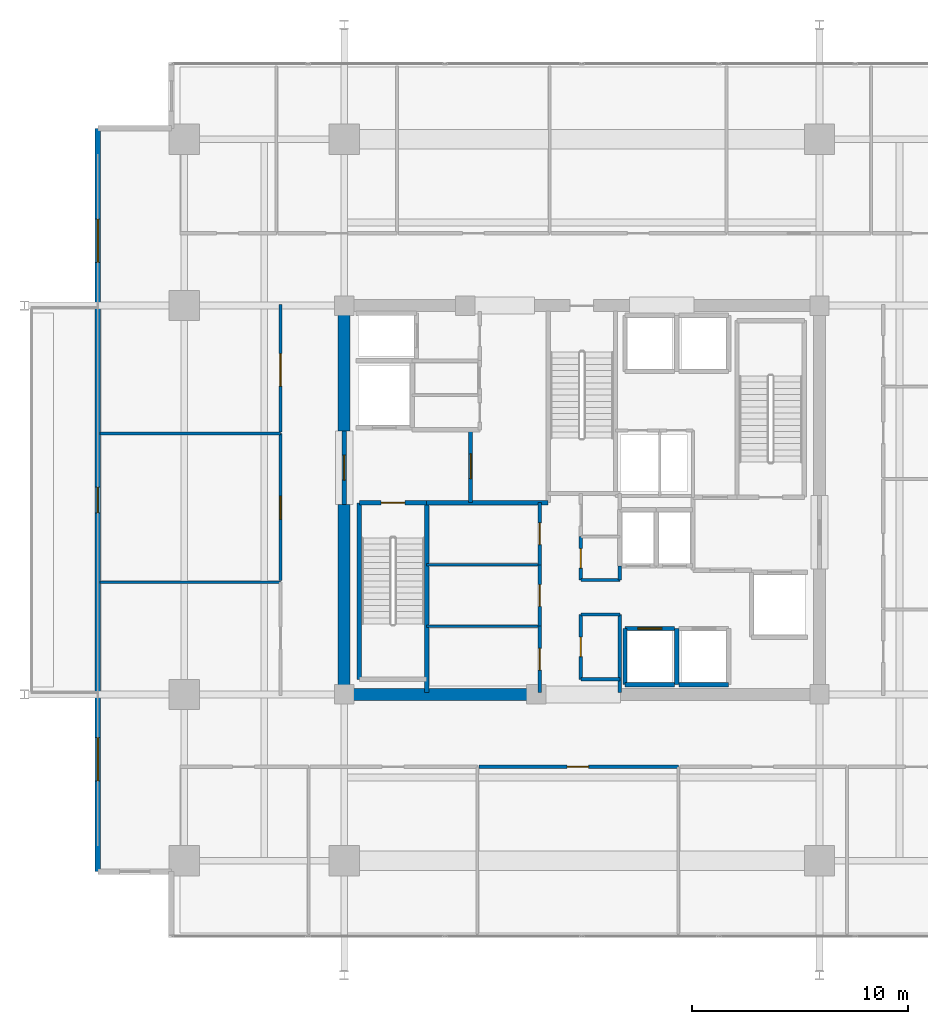
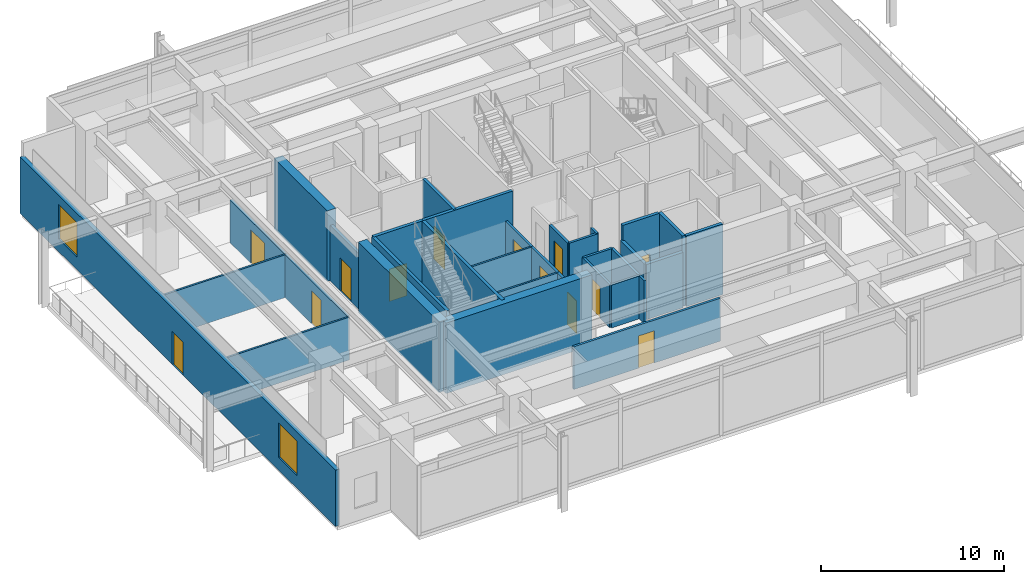
# One storey, part 12 of 19: 32 walls, 13 doors, 2 windows, 15 openings.
"""IFC4 building model written with IfcOpenShell, lengths in metres."""

from ifc_helpers import new_model, si_unit, direction, frame, frame_2d, origin, place, context, subcontext, project, spatial, rectangle, extrude, material, layer, layer_set, type_object, element, fill, save


model = new_model("IFC4")

# Units and contexts
model_context = context("Model", 3, precision=1e-05, world=origin(), true_north=direction((0.0, 1.0)))
body_context = subcontext(model_context, "Body", "Model", "MODEL_VIEW")
ifc_project = project(units=[si_unit("LENGTHUNIT", "METRE"), si_unit("AREAUNIT", "SQUARE_METRE"), si_unit("VOLUMEUNIT", "CUBIC_METRE"), si_unit("PLANEANGLEUNIT", "RADIAN"), si_unit("MASSUNIT", "GRAM", prefix="KILO")], contexts=[model_context])

# Site, building, storey
site_placement = place(None, origin())
site = spatial("IfcSite", under=ifc_project, at=site_placement, CompositionType="ELEMENT")
building_placement = place(site_placement, origin())
building = spatial("IfcBuilding", under=site, at=building_placement, Name="Kovane Verandah Tower", CompositionType="ELEMENT")
storey_placement = place(building_placement, frame((0.0, 0.0, 184.39990234375)))
storey = spatial("IfcBuildingStorey", under=building, at=storey_placement, Name="L43", CompositionType="ELEMENT", Elevation=184.39990234375)

# Walls
ifc_material_1 = material(Name="Fire-Rated Gypsum Stud Partition", Category="gypsum")
ifc_layer_1 = layer(ifc_material_1, 0.14990234375)
ifc_layer_set_1 = layer_set([ifc_layer_1], Name="Fire-Rated Gypsum Stud Partition")
wall_type_1 = type_object("IfcWallType", Name="WL-COR-150", PredefinedType="PARTITIONING", material=ifc_layer_set_1)
for number, where, z_axis, x_axis, name in (
    (1, (39.949951171875, 19.199951171875, 0.0), (0.0, 0.0, 1.0), (1.0, 0.0, 0.0), "L43 Central Core Strip South Wall"),
    (2, (39.949951171875, 22.199951171875, 0.0), (0.0, 0.0, 1.0), (1.0, 0.0, 0.0), "L43 Core Cross-Passage South Wall"),
    (3, (39.949951171875, 23.800048828125, 0.0), (0.0, 0.0, 1.0), (1.0, 0.0, 0.0), "L43 Core Cross-Passage North Wall"),
):
    element("IfcWall", number, at=place(storey_placement, frame(where, z_axis=z_axis, x_axis=x_axis)), inside=storey, type_object=wall_type_1, Name=name, PredefinedType="PARTITIONING", context=body_context, shape_type="SweptSolid", body=[
        extrude(rectangle(XDim=1.81005859375, YDim=0.14990234375, at=frame_2d((0.905029296875, 0.0))), origin(), (0.0, 0.0, 1.0), 2.85009765625),
    ])
wall_1_placement = place(storey_placement, frame((41.760009765625, 18.60009765625, 0.0), z_axis=(0.0, 0.0, 1.0), x_axis=(0.0, 1.0, 0.0)))
element("IfcWall", 4, at=wall_1_placement, inside=storey, type_object=wall_type_1, Name="L43 Central Core Strip Lower East Wall", PredefinedType="PARTITIONING", context=body_context, shape_type="SweptSolid", body=[
    extrude(rectangle(XDim=3.599853515625, YDim=0.14990234375, at=frame_2d((1.7998046875, 0.0))), origin(), (0.0, 0.0, 1.0), 2.85009765625),
])
wall_2_placement = place(storey_placement, frame((41.760009765625, 23.800048828125, 0.0), z_axis=(0.0, 0.0, 1.0), x_axis=(0.0, 1.0, 0.0)))
element("IfcWall", 5, at=wall_2_placement, inside=storey, type_object=wall_type_1, Name="L43 Central Core Strip Middle East Wall", PredefinedType="PARTITIONING", context=body_context, shape_type="SweptSolid", body=[
    extrude(rectangle(XDim=0.64990234375, YDim=0.14990234375, at=frame_2d((0.324951171875, 0.0))), origin(), (0.0, 0.0, 1.0), 2.85009765625),
])

# Wall, opening, door
wall_3_placement = place(storey_placement, frame((39.949951171875, 19.199951171875, 0.0), z_axis=(0.0, 0.0, 1.0), x_axis=(0.0, 1.0, 0.0)))
wall_3 = element("IfcWall", 6, at=wall_3_placement, inside=storey, type_object=wall_type_1, Name="L43 Male Toilet Partition", PredefinedType="PARTITIONING", context=body_context, shape_type="SweptSolid", body=[
    extrude(rectangle(XDim=3.0, YDim=0.14990234375, at=frame_2d((1.5, 0.0))), origin(), (0.0, 0.0, 1.0), 2.85009765625),
])
opening_1_placement = place(wall_3_placement, frame((1.050048828125, 0.0, 0.0)))
opening_1 = element("IfcOpeningElement", 7, at=opening_1_placement, cuts=wall_3, Name="Opening DR-L43-036", PredefinedType="OPENING", context=body_context, shape_type="SweptSolid", body=[
    extrude(rectangle(XDim=0.89990234375, YDim=2.10009765625, at=frame_2d((0.449951171875, 1.050048828125))), frame((0.0, 0.074951171875, 0.0), z_axis=(0.0, -1.0, 0.0), x_axis=(1.0, 0.0, 0.0)), (0.0, 0.0, 1.0), 0.14990234375),
])
ifc_material_2 = material(Name="Moisture-Resistant Laminate Washroom Door", Category="wood")
door_type_1 = type_object("IfcDoorType", Name="DR-WC-900", OperationType="SINGLE_SWING_LEFT", PredefinedType="DOOR", material=ifc_material_2)
door_1_placement = place(opening_1_placement, origin())
door_1 = element("IfcDoor", 8, at=door_1_placement, inside=storey, type_object=door_type_1, Name="L43 Male Toilet Door", OperationType="SINGLE_SWING_RIGHT", OverallHeight=2.10009765625, OverallWidth=0.89990234375, PredefinedType="DOOR", context=body_context, shape_type="SweptSolid", body=[
    extrude(rectangle(XDim=0.89990234375, YDim=2.10009765625, at=frame_2d((0.449951171875, 1.050048828125))), frame((0.0, 0.02490234375, 0.0), z_axis=(0.0, -1.0, 0.0), x_axis=(1.0, 0.0, 0.0)), (0.0, 0.0, 1.0), 0.050048828125),
])
fill(opening_1, door_1)

wall_4_placement = place(storey_placement, frame((39.949951171875, 23.800048828125, 0.0), z_axis=(0.0, 0.0, 1.0), x_axis=(0.0, 1.0, 0.0)))
wall_4 = element("IfcWall", 9, at=wall_4_placement, inside=storey, type_object=wall_type_1, Name="L43 Female Toilet Partition", PredefinedType="PARTITIONING", context=body_context, shape_type="SweptSolid", body=[
    extrude(rectangle(XDim=2.0, YDim=0.14990234375, at=frame_2d((1.0, 0.0))), origin(), (0.0, 0.0, 1.0), 2.85009765625),
])
opening_2_placement = place(wall_4_placement, frame((0.550048828125, 0.0, 0.0)))
opening_2 = element("IfcOpeningElement", 10, at=opening_2_placement, cuts=wall_4, Name="Opening DR-L43-035", PredefinedType="OPENING", context=body_context, shape_type="SweptSolid", body=[
    extrude(rectangle(XDim=0.89990234375, YDim=2.10009765625, at=frame_2d((0.449951171875, 1.050048828125))), frame((0.0, 0.074951171875, 0.0), z_axis=(0.0, -1.0, 0.0), x_axis=(1.0, 0.0, 0.0)), (0.0, 0.0, 1.0), 0.14990234375),
])
door_2_placement = place(opening_2_placement, origin())
door_2 = element("IfcDoor", 11, at=door_2_placement, inside=storey, type_object=door_type_1, Name="L43 Female Toilet Door", OperationType="SINGLE_SWING_LEFT", OverallHeight=2.10009765625, OverallWidth=0.89990234375, PredefinedType="DOOR", context=body_context, shape_type="SweptSolid", body=[
    extrude(rectangle(XDim=0.89990234375, YDim=2.10009765625, at=frame_2d((0.449951171875, 1.050048828125))), frame((0.0, 0.02490234375, 0.0), z_axis=(0.0, -1.0, 0.0), x_axis=(1.0, 0.0, 0.0)), (0.0, 0.0, 1.0), 0.050048828125),
])
fill(opening_2, door_2)

wall_5_placement = place(storey_placement, frame((38.050048828125, 18.60009765625, 0.0), z_axis=(0.0, 0.0, 1.0), x_axis=(0.0, 1.0, 0.0)))
wall_5 = element("IfcWall", 12, at=wall_5_placement, inside=storey, type_object=wall_type_1, Name="L43 Project Archive Room Partition", PredefinedType="PARTITIONING", context=body_context, shape_type="SweptSolid", body=[
    extrude(rectangle(XDim=3.059814453125, YDim=0.14990234375, at=frame_2d((1.52978515625, 0.0))), origin(), (0.0, 0.0, 1.0), 2.85009765625),
])
opening_3_placement = place(wall_5_placement, frame((1.030029296875, 0.0, 0.0)))
opening_3 = element("IfcOpeningElement", 13, at=opening_3_placement, cuts=wall_5, Name="Opening DR-L43-017", PredefinedType="OPENING", context=body_context, shape_type="SweptSolid", body=[
    extrude(rectangle(XDim=1.0, YDim=2.14990234375, at=frame_2d((0.5, 1.074951171875))), frame((0.0, 0.074951171875, 0.0), z_axis=(0.0, -1.0, 0.0), x_axis=(1.0, 0.0, 0.0)), (0.0, 0.0, 1.0), 0.14990234375),
])
ifc_material_3 = material(Name="FSC Spotted-Gum Timber Fire-Rated Office Door", Category="wood")
door_type_2 = type_object("IfcDoorType", Name="DR-OFF-1000", OperationType="SINGLE_SWING_LEFT", PredefinedType="DOOR", material=ifc_material_3)
door_3_placement = place(opening_3_placement, origin())
door_3 = element("IfcDoor", 14, at=door_3_placement, inside=storey, type_object=door_type_2, Name="L43 Project Archive Room Door", OperationType="SINGLE_SWING_RIGHT", OverallHeight=2.14990234375, OverallWidth=1.0, PredefinedType="DOOR", context=body_context, shape_type="SweptSolid", body=[
    extrude(rectangle(XDim=1.0, YDim=2.14990234375, at=frame_2d((0.5, 1.074951171875))), frame((0.0, 0.02490234375, 0.0), z_axis=(0.0, -1.0, 0.0), x_axis=(1.0, 0.0, 0.0)), (0.0, 0.0, 1.0), 0.050048828125),
])
fill(opening_3, door_3)

wall_6_placement = place(storey_placement, frame((38.050048828125, 21.659912109375, 0.0), z_axis=(0.0, 0.0, 1.0), x_axis=(0.0, 1.0, 0.0)))
wall_6 = element("IfcWall", 15, at=wall_6_placement, inside=storey, type_object=wall_type_1, Name="L43 First Aid and Wellness Room Partition", PredefinedType="PARTITIONING", context=body_context, shape_type="SweptSolid", body=[
    extrude(rectangle(XDim=2.840087890625, YDim=0.14990234375, at=frame_2d((1.419921875, 0.0))), origin(), (0.0, 0.0, 1.0), 2.85009765625),
])
opening_4_placement = place(wall_6_placement, frame((0.919921875, 0.0, 0.0)))
opening_4 = element("IfcOpeningElement", 16, at=opening_4_placement, cuts=wall_6, Name="Opening DR-L43-018", PredefinedType="OPENING", context=body_context, shape_type="SweptSolid", body=[
    extrude(rectangle(XDim=1.0, YDim=2.14990234375, at=frame_2d((0.5, 1.074951171875))), frame((0.0, 0.074951171875, 0.0), z_axis=(0.0, -1.0, 0.0), x_axis=(1.0, 0.0, 0.0)), (0.0, 0.0, 1.0), 0.14990234375),
])
door_4_placement = place(opening_4_placement, origin())
door_4 = element("IfcDoor", 17, at=door_4_placement, inside=storey, type_object=door_type_2, Name="L43 First Aid and Wellness Room Door", OperationType="SINGLE_SWING_LEFT", OverallHeight=2.14990234375, OverallWidth=1.0, PredefinedType="DOOR", context=body_context, shape_type="SweptSolid", body=[
    extrude(rectangle(XDim=1.0, YDim=2.14990234375, at=frame_2d((0.5, 1.074951171875))), frame((0.0, 0.02490234375, 0.0), z_axis=(0.0, -1.0, 0.0), x_axis=(1.0, 0.0, 0.0)), (0.0, 0.0, 1.0), 0.050048828125),
])
fill(opening_4, door_4)

wall_7_placement = place(storey_placement, frame((38.050048828125, 24.5, 0.0), z_axis=(0.0, 0.0, 1.0), x_axis=(0.0, 1.0, 0.0)))
wall_7 = element("IfcWall", 18, at=wall_7_placement, inside=storey, type_object=wall_type_1, Name="L43 Tea and Copy Hub Partition", PredefinedType="PARTITIONING", context=body_context, shape_type="SweptSolid", body=[
    extrude(rectangle(XDim=2.8798828125, YDim=0.14990234375, at=frame_2d((1.43994140625, 0.0))), origin(), (0.0, 0.0, 1.0), 2.85009765625),
])
opening_5_placement = place(wall_7_placement, frame((0.93994140625, 0.0, 0.0)))
opening_5 = element("IfcOpeningElement", 19, at=opening_5_placement, cuts=wall_7, Name="Opening DR-L43-019", PredefinedType="OPENING", context=body_context, shape_type="SweptSolid", body=[
    extrude(rectangle(XDim=1.0, YDim=2.14990234375, at=frame_2d((0.5, 1.074951171875))), frame((0.0, 0.074951171875, 0.0), z_axis=(0.0, -1.0, 0.0), x_axis=(1.0, 0.0, 0.0)), (0.0, 0.0, 1.0), 0.14990234375),
])
door_5_placement = place(opening_5_placement, origin())
door_5 = element("IfcDoor", 20, at=door_5_placement, inside=storey, type_object=door_type_2, Name="L43 Tea and Copy Hub Door", OperationType="SINGLE_SWING_RIGHT", OverallHeight=2.14990234375, OverallWidth=1.0, PredefinedType="DOOR", context=body_context, shape_type="SweptSolid", body=[
    extrude(rectangle(XDim=1.0, YDim=2.14990234375, at=frame_2d((0.5, 1.074951171875))), frame((0.0, 0.02490234375, 0.0), z_axis=(0.0, -1.0, 0.0), x_axis=(1.0, 0.0, 0.0)), (0.0, 0.0, 1.0), 0.050048828125),
])
fill(opening_5, door_5)

wall_8_placement = place(storey_placement, frame((35.23388671875, 15.14990234375, 0.0), z_axis=(0.0, 0.0, 1.0), x_axis=(1.0, 0.0, 0.0)))
wall_8 = element("IfcWall", 21, at=wall_8_placement, inside=storey, type_object=wall_type_1, Name="L43 Breakout Pantry S3 Corridor Partition", PredefinedType="PARTITIONING", context=body_context, shape_type="SweptSolid", body=[
    extrude(rectangle(XDim=9.230224609375, YDim=0.14990234375, at=frame_2d((4.615234375, 0.0))), origin(), (0.0, 0.0, 1.0), 2.85009765625),
])
opening_6_placement = place(wall_8_placement, frame((4.080078125, 0.0, 0.0)))
opening_6 = element("IfcOpeningElement", 22, at=opening_6_placement, cuts=wall_8, Name="Opening DR-L43-030", PredefinedType="OPENING", context=body_context, shape_type="SweptSolid", body=[
    extrude(rectangle(XDim=1.0, YDim=2.14990234375, at=frame_2d((0.5, 1.074951171875))), frame((0.0, 0.074951171875, 0.0), z_axis=(0.0, -1.0, 0.0), x_axis=(1.0, 0.0, 0.0)), (0.0, 0.0, 1.0), 0.14990234375),
])
door_6_placement = place(opening_6_placement, origin())
door_6 = element("IfcDoor", 23, at=door_6_placement, inside=storey, type_object=door_type_2, Name="L43 Breakout Pantry S3 Entrance Door", OperationType="SINGLE_SWING_LEFT", OverallHeight=2.14990234375, OverallWidth=1.0, PredefinedType="DOOR", context=body_context, shape_type="SweptSolid", body=[
    extrude(rectangle(XDim=1.0, YDim=2.14990234375, at=frame_2d((0.5, 1.074951171875))), frame((0.0, 0.02490234375, 0.0), z_axis=(0.0, -1.0, 0.0), x_axis=(1.0, 0.0, 0.0)), (0.0, 0.0, 1.0), 0.050048828125),
])
fill(opening_6, door_6)

wall_9_placement = place(storey_placement, frame((26.050048828125, 23.76904296875, 0.0), z_axis=(0.0, 0.0, 1.0), x_axis=(0.0, 1.0, 0.0)))
wall_9 = element("IfcWall", 24, at=wall_9_placement, inside=storey, type_object=wall_type_1, Name="L43 Executive Office W2 Corridor Partition", PredefinedType="PARTITIONING", context=body_context, shape_type="SweptSolid", body=[
    extrude(rectangle(XDim=6.807861328125, YDim=0.14990234375, at=frame_2d((3.40380859375, 0.0))), origin(), (0.0, 0.0, 1.0), 2.85009765625),
])
opening_7_placement = place(wall_9_placement, frame((2.843994140625, 0.0, 0.0)))
opening_7 = element("IfcOpeningElement", 25, at=opening_7_placement, cuts=wall_9, Name="Opening DR-L43-038", PredefinedType="OPENING", context=body_context, shape_type="SweptSolid", body=[
    extrude(rectangle(XDim=1.050048828125, YDim=2.199951171875, at=frame_2d((0.52490234375, 1.10009765625))), frame((0.0, 0.074951171875, 0.0), z_axis=(0.0, -1.0, 0.0), x_axis=(1.0, 0.0, 0.0)), (0.0, 0.0, 1.0), 0.14990234375),
])
ifc_material_4 = material(Name="FSC Blackbutt Timber Fire-Rated Executive Door", Category="wood")
door_type_3 = type_object("IfcDoorType", Name="DR-EXEC-1050", OperationType="SINGLE_SWING_LEFT", PredefinedType="DOOR", material=ifc_material_4)
door_7_placement = place(opening_7_placement, origin())
door_7 = element("IfcDoor", 26, at=door_7_placement, inside=storey, type_object=door_type_3, Name="L43 Executive Office W2 Entrance Door", OperationType="SINGLE_SWING_LEFT", OverallHeight=2.199951171875, OverallWidth=1.050048828125, PredefinedType="DOOR", context=body_context, shape_type="SweptSolid", body=[
    extrude(rectangle(XDim=1.050048828125, YDim=2.199951171875, at=frame_2d((0.52490234375, 1.10009765625))), frame((0.0, 0.02490234375, 0.0), z_axis=(0.0, -1.0, 0.0), x_axis=(1.0, 0.0, 0.0)), (0.0, 0.0, 1.0), 0.050048828125),
])
fill(opening_7, door_7)

wall_10_placement = place(storey_placement, frame((26.050048828125, 30.64697265625, 0.0), z_axis=(0.0, 0.0, 1.0), x_axis=(0.0, 1.0, 0.0)))
wall_10 = element("IfcWall", 27, at=wall_10_placement, inside=storey, type_object=wall_type_1, Name="L43 Client Boardroom W3 Corridor Partition", PredefinedType="PARTITIONING", context=body_context, shape_type="SweptSolid", body=[
    extrude(rectangle(XDim=5.903076171875, YDim=0.14990234375, at=frame_2d((2.95166015625, 0.0))), origin(), (0.0, 0.0, 1.0), 2.85009765625),
])
opening_8_placement = place(wall_10_placement, frame((2.12646484375, 0.0, 0.0)))
opening_8 = element("IfcOpeningElement", 28, at=opening_8_placement, cuts=wall_10, Name="Opening DR-L43-039", PredefinedType="OPENING", context=body_context, shape_type="SweptSolid", body=[
    extrude(rectangle(XDim=1.5, YDim=2.25, at=frame_2d((0.75, 1.125))), frame((0.0, 0.074951171875, 0.0), z_axis=(0.0, -1.0, 0.0), x_axis=(1.0, 0.0, 0.0)), (0.0, 0.0, 1.0), 0.14990234375),
])
ifc_material_5 = material(Name="Glazed Timber Fire-Rated Double Door", Category="wood")
door_type_4 = type_object("IfcDoorType", Name="DR-CONF-1500", OperationType="DOUBLE_DOOR_SINGLE_SWING", PredefinedType="DOOR", material=ifc_material_5)
door_8_placement = place(opening_8_placement, origin())
door_8 = element("IfcDoor", 29, at=door_8_placement, inside=storey, type_object=door_type_4, Name="L43 Client Boardroom W3 Entrance Door", OperationType="DOUBLE_DOOR_SINGLE_SWING", OverallHeight=2.25, OverallWidth=1.5, PredefinedType="DOOR", context=body_context, shape_type="SweptSolid", body=[
    extrude(rectangle(XDim=1.5, YDim=2.25, at=frame_2d((0.75, 1.125))), frame((0.0, 0.02490234375, 0.0), z_axis=(0.0, -1.0, 0.0), x_axis=(1.0, 0.0, 0.0)), (0.0, 0.0, 1.0), 0.050048828125),
])
fill(opening_8, door_8)

# Walls
ifc_material_6 = material(Name="Concrete C60/75", Category="concrete")
ifc_layer_2 = layer(ifc_material_6, 0.550048828125)
ifc_layer_set_2 = layer_set([ifc_layer_2], Name="Concrete C60/75")
wall_type_2 = type_object("IfcWallType", Name="WL-CORE-550", PredefinedType="SHEAR", material=ifc_layer_set_2)
wall_11_placement = place(storey_placement, frame((29.0, 18.5, 0.0), z_axis=(0.0, 0.0, 1.0), x_axis=(1.0, 0.0, 0.0)))
element("IfcWall", 30, at=wall_11_placement, inside=storey, type_object=wall_type_2, Name="L43 Core Shear Wall CS-1", PredefinedType="SHEAR", context=body_context, shape_type="SweptSolid", body=[
    extrude(rectangle(XDim=9.199951171875, YDim=0.550048828125, at=frame_2d((4.60009765625, 0.0))), origin(), (0.0, 0.0, 1.0), 4.7001953125),
])
wall_12_placement = place(storey_placement, frame((29.0, 18.5, 0.0), z_axis=(0.0, 0.0, 1.0), x_axis=(0.0, 1.0, 0.0)))
element("IfcWall", 31, at=wall_12_placement, inside=storey, type_object=wall_type_2, Name="L43 Core Shear Wall CW-1", PredefinedType="SHEAR", context=body_context, shape_type="SweptSolid", body=[
    extrude(rectangle(XDim=8.800048828125, YDim=0.550048828125, at=frame_2d((4.39990234375, 0.0))), origin(), (0.0, 0.0, 1.0), 4.7001953125),
])
wall_13_placement = place(storey_placement, frame((29.0, 30.699951171875, 0.0), z_axis=(0.0, 0.0, 1.0), x_axis=(0.0, 1.0, 0.0)))
element("IfcWall", 32, at=wall_13_placement, inside=storey, type_object=wall_type_2, Name="L43 Core Shear Wall CW-2", PredefinedType="SHEAR", context=body_context, shape_type="SweptSolid", body=[
    extrude(rectangle(XDim=5.800048828125, YDim=0.550048828125, at=frame_2d((2.89990234375, 0.0))), origin(), (0.0, 0.0, 1.0), 4.7001953125),
])

# Wall, opening, door
ifc_material_7 = material(Name="Concrete C45/55 Fire Wall", Category="concrete")
ifc_layer_3 = layer(ifc_material_7, 0.199951171875)
ifc_layer_set_3 = layer_set([ifc_layer_3], Name="Concrete C45/55 Fire Wall")
wall_type_3 = type_object("IfcWallType", Name="WL-FFL-200", PredefinedType="PARTITIONING", material=ifc_layer_set_3)
wall_14_placement = place(storey_placement, frame((34.85009765625, 27.3798828125, 0.0), z_axis=(0.0, 0.0, 1.0), x_axis=(0.0, 1.0, 0.0)))
wall_14 = element("IfcWall", 33, at=wall_14_placement, inside=storey, type_object=wall_type_3, Name="W-L43-FFLW-E", PredefinedType="PARTITIONING", context=body_context, shape_type="SweptSolid", body=[
    extrude(rectangle(XDim=3.3701171875, YDim=0.199951171875, at=frame_2d((1.68505859375, 0.0))), origin(), (0.0, 0.0, 1.0), 4.7001953125),
])
opening_9_placement = place(wall_14_placement, frame((1.110107421875, 0.0, 0.0)))
opening_9 = element("IfcOpeningElement", 34, at=opening_9_placement, cuts=wall_14, Name="Opening DR-L43-006", PredefinedType="OPENING", context=body_context, shape_type="SweptSolid", body=[
    extrude(rectangle(XDim=1.14990234375, YDim=2.199951171875, at=frame_2d((0.574951171875, 1.10009765625))), frame((0.0, 0.10009765625, 0.0), z_axis=(0.0, -1.0, 0.0), x_axis=(1.0, 0.0, 0.0)), (0.0, 0.0, 1.0), 0.199951171875),
])
ifc_material_8 = material(Name="Smoke-Sealed Firefighting Lobby Door", Category="steel")
door_type_5 = type_object("IfcDoorType", Name="DR-FFL-1150", OperationType="SINGLE_SWING_LEFT", PredefinedType="DOOR", material=ifc_material_8)
door_9_placement = place(opening_9_placement, origin())
door_9 = element("IfcDoor", 35, at=door_9_placement, inside=storey, type_object=door_type_5, Name="L43 West Firefighting Lobby Inner Door", OperationType="SINGLE_SWING_LEFT", OverallHeight=2.199951171875, OverallWidth=1.14990234375, PredefinedType="DOOR", context=body_context, shape_type="SweptSolid", body=[
    extrude(rectangle(XDim=1.14990234375, YDim=2.199951171875, at=frame_2d((0.574951171875, 1.10009765625))), frame((0.0, 0.02490234375, 0.0), z_axis=(0.0, -1.0, 0.0), x_axis=(1.0, 0.0, 0.0)), (0.0, 0.0, 1.0), 0.050048828125),
])
fill(opening_9, door_9)

wall_15_placement = place(storey_placement, frame((29.0, 27.300048828125, 0.0), z_axis=(0.0, 0.0, 1.0), x_axis=(0.0, 1.0, 0.0)))
wall_15 = element("IfcWall", 36, at=wall_15_placement, inside=storey, type_object=wall_type_3, Name="W-L43-FFLW-OUT", PredefinedType="PARTITIONING", context=body_context, shape_type="SweptSolid", body=[
    extrude(rectangle(XDim=3.39990234375, YDim=0.199951171875, at=frame_2d((1.699951171875, 0.0))), origin(), (0.0, 0.0, 1.0), 3.68017578125),
])
opening_10_placement = place(wall_15_placement, frame((1.125, 0.0, 0.0)))
opening_10 = element("IfcOpeningElement", 37, at=opening_10_placement, cuts=wall_15, Name="Opening DR-L43-007", PredefinedType="OPENING", context=body_context, shape_type="SweptSolid", body=[
    extrude(rectangle(XDim=1.14990234375, YDim=2.199951171875, at=frame_2d((0.574951171875, 1.10009765625))), frame((0.0, 0.10009765625, 0.0), z_axis=(0.0, -1.0, 0.0), x_axis=(1.0, 0.0, 0.0)), (0.0, 0.0, 1.0), 0.199951171875),
])
door_10_placement = place(opening_10_placement, origin())
door_10 = element("IfcDoor", 38, at=door_10_placement, inside=storey, type_object=door_type_5, Name="L43 West Firefighting Lobby Corridor Door", OperationType="SINGLE_SWING_RIGHT", OverallHeight=2.199951171875, OverallWidth=1.14990234375, PredefinedType="DOOR", context=body_context, shape_type="SweptSolid", body=[
    extrude(rectangle(XDim=1.14990234375, YDim=2.199951171875, at=frame_2d((0.574951171875, 1.10009765625))), frame((0.0, 0.02490234375, 0.0), z_axis=(0.0, -1.0, 0.0), x_axis=(1.0, 0.0, 0.0)), (0.0, 0.0, 1.0), 0.050048828125),
])
fill(opening_10, door_10)

# Walls
wall_16_placement = place(storey_placement, frame((32.820068359375, 27.3798828125, 0.0), z_axis=(0.0, 0.0, 1.0), x_axis=(1.0, 0.0, 0.0)))
element("IfcWall", 39, at=wall_16_placement, inside=storey, type_object=wall_type_3, Name="L43 West Firefighting Lobby South Fire Wall", PredefinedType="PARTITIONING", context=body_context, shape_type="SweptSolid", body=[
    extrude(rectangle(XDim=5.619873046875, YDim=0.199951171875, at=frame_2d((2.81005859375, 0.0))), origin(), (0.0, 0.0, 1.0), 4.7001953125),
])
ifc_material_9 = material(Name="Concrete C45/55 Lift Shaft Wall", Category="concrete")
ifc_layer_4 = layer(ifc_material_9, 0.199951171875)
ifc_layer_set_4 = layer_set([ifc_layer_4], Name="Concrete C45/55 Lift Shaft Wall")
wall_type_4 = type_object("IfcWallType", Name="WL-LIFT-200", PredefinedType="SOLIDWALL", material=ifc_layer_set_4)
wall_17_placement = place(storey_placement, frame((42.0, 18.949951171875, 0.0), z_axis=(0.0, 0.0, 1.0), x_axis=(1.0, 0.0, 0.0)))
element("IfcWall", 40, at=wall_17_placement, inside=storey, type_object=wall_type_4, Name="L43 Lift PL-M1 S Shaft Wall", PredefinedType="SOLIDWALL", context=body_context, shape_type="SweptSolid", body=[
    extrude(rectangle(XDim=2.300048828125, YDim=0.199951171875, at=frame_2d((1.14990234375, 0.0))), origin(), (0.0, 0.0, 1.0), 3.68017578125),
])

# Wall, opening, door
wall_18_placement = place(storey_placement, frame((44.300048828125, 21.550048828125, 0.0), z_axis=(0.0, 0.0, 1.0), x_axis=(-1.0, 0.0, 0.0)))
wall_18 = element("IfcWall", 41, at=wall_18_placement, inside=storey, type_object=wall_type_4, Name="L43 Lift PL-M1 N Shaft Wall", PredefinedType="SOLIDWALL", context=body_context, shape_type="SweptSolid", body=[
    extrude(rectangle(XDim=2.300048828125, YDim=0.199951171875, at=frame_2d((1.14990234375, 0.0))), origin(), (0.0, 0.0, 1.0), 4.7001953125),
])
opening_11_placement = place(wall_18_placement, frame((0.60009765625, 0.0, 0.0)))
opening_11 = element("IfcOpeningElement", 42, at=opening_11_placement, cuts=wall_18, Name="Opening LD-L43-004", PredefinedType="OPENING", context=body_context, shape_type="SweptSolid", body=[
    extrude(rectangle(XDim=1.10009765625, YDim=2.199951171875, at=frame_2d((0.550048828125, 1.10009765625))), frame((0.0, 0.10009765625, 0.0), z_axis=(0.0, -1.0, 0.0), x_axis=(1.0, 0.0, 0.0)), (0.0, 0.0, 1.0), 0.199951171875),
])
ifc_material_10 = material(Name="Brushed Stainless Steel Sliding Lift Landing Door", Category="steel")
door_type_6 = type_object("IfcDoorType", Name="DR-LIFT-1100", OperationType="SLIDING_TO_RIGHT", PredefinedType="DOOR", material=ifc_material_10)
door_11_placement = place(opening_11_placement, origin())
door_11 = element("IfcDoor", 43, at=door_11_placement, inside=storey, type_object=door_type_6, Name="L43 Lift PL-M1 Sliding Landing Door", OperationType="SLIDING_TO_RIGHT", OverallHeight=2.199951171875, OverallWidth=1.10009765625, PredefinedType="DOOR", context=body_context, shape_type="SweptSolid", body=[
    extrude(rectangle(XDim=1.10009765625, YDim=2.199951171875, at=frame_2d((0.550048828125, 1.10009765625))), frame((0.0, 0.02490234375, 0.0), z_axis=(0.0, -1.0, 0.0), x_axis=(1.0, 0.0, 0.0)), (0.0, 0.0, 1.0), 0.050048828125),
])
fill(opening_11, door_11)

# Walls
wall_19_placement = place(storey_placement, frame((42.0, 21.550048828125, 0.0), z_axis=(0.0, 0.0, 1.0), x_axis=(0.0, -1.0, 0.0)))
element("IfcWall", 44, at=wall_19_placement, inside=storey, type_object=wall_type_4, Name="L43 Lift PL-M1 W Shaft Wall", PredefinedType="SOLIDWALL", context=body_context, shape_type="SweptSolid", body=[
    extrude(rectangle(XDim=2.60009765625, YDim=0.199951171875, at=frame_2d((1.300048828125, 0.0))), origin(), (0.0, 0.0, 1.0), 3.68017578125),
])
wall_20_placement = place(storey_placement, frame((44.39990234375, 18.949951171875, 0.0), z_axis=(0.0, 0.0, 1.0), x_axis=(0.0, 1.0, 0.0)))
element("IfcWall", 45, at=wall_20_placement, inside=storey, type_object=wall_type_4, Name="L43 Lift PL-M1 and PL-M2 Shared Shaft Wall", PredefinedType="SOLIDWALL", context=body_context, shape_type="SweptSolid", body=[
    extrude(rectangle(XDim=2.60009765625, YDim=0.199951171875, at=frame_2d((1.300048828125, 0.0))), origin(), (0.0, 0.0, 1.0), 4.7001953125),
])
wall_21_placement = place(storey_placement, frame((44.5, 18.949951171875, 0.0), z_axis=(0.0, 0.0, 1.0), x_axis=(1.0, 0.0, 0.0)))
element("IfcWall", 46, at=wall_21_placement, inside=storey, type_object=wall_type_4, Name="L43 Lift PL-M2 S Shaft Wall", PredefinedType="SOLIDWALL", context=body_context, shape_type="SweptSolid", body=[
    extrude(rectangle(XDim=2.300048828125, YDim=0.199951171875, at=frame_2d((1.14990234375, 0.0))), origin(), (0.0, 0.0, 1.0), 4.7001953125),
])
ifc_material_11 = material(Name="Acoustic Fire-Rated Gypsum Partition", Category="gypsum")
ifc_layer_5 = layer(ifc_material_11, 0.1201171875)
ifc_layer_set_5 = layer_set([ifc_layer_5], Name="Acoustic Fire-Rated Gypsum Partition")
wall_type_5 = type_object("IfcWallType", Name="WL-PART-120", PredefinedType="PARTITIONING", material=ifc_layer_set_5)
for number, where, z_axis, x_axis, name in (
    (47, (32.820068359375, 21.659912109375, 0.0), (0.0, 0.0, 1.0), (1.0, 0.0, 0.0), "L43 Core Support Lower Dividing Partition"),
    (48, (32.820068359375, 24.5, 0.0), (0.0, 0.0, 1.0), (1.0, 0.0, 0.0), "L43 Core Support Upper Dividing Partition"),
):
    element("IfcWall", number, at=place(storey_placement, frame(where, z_axis=z_axis, x_axis=x_axis)), inside=storey, type_object=wall_type_5, Name=name, PredefinedType="PARTITIONING", context=body_context, shape_type="SweptSolid", body=[
        extrude(rectangle(XDim=5.22998046875, YDim=0.1201171875, at=frame_2d((2.614990234375, 0.0))), origin(), (0.0, 0.0, 1.0), 2.85009765625),
    ])
for number, where, z_axis, x_axis, name in (
    (49, (17.699951171875, 23.698974609375, 0.0), (0.0, 0.0, 1.0), (1.0, 0.0, 0.0), "L43 Open Plan Office W1 Dividing Partition"),
    (50, (17.699951171875, 30.576904296875, 0.0), (0.0, 0.0, 1.0), (1.0, 0.0, 0.0), "L43 Executive Office W2 Dividing Partition"),
):
    element("IfcWall", number, at=place(storey_placement, frame(where, z_axis=z_axis, x_axis=x_axis)), inside=storey, type_object=wall_type_5, Name=name, PredefinedType="PARTITIONING", context=body_context, shape_type="SweptSolid", body=[
        extrude(rectangle(XDim=8.35009765625, YDim=0.1201171875, at=frame_2d((4.175048828125, 0.0))), origin(), (0.0, 0.0, 1.0), 2.85009765625),
    ])
ifc_material_12 = material(Name="Concrete C45/55", Category="concrete")
ifc_layer_6 = layer(ifc_material_12, 0.199951171875)
ifc_layer_set_6 = layer_set([ifc_layer_6], Name="Concrete C45/55")
wall_type_6 = type_object("IfcWallType", Name="WL-SHAFT-200", PredefinedType="SOLIDWALL", material=ifc_layer_set_6)
wall_22_placement = place(storey_placement, frame((29.699951171875, 19.199951171875, 0.0), z_axis=(0.0, 0.0, 1.0), x_axis=(0.0, 1.0, 0.0)))
element("IfcWall", 51, at=wall_22_placement, inside=storey, type_object=wall_type_6, Name="W-L43-ST01-W", PredefinedType="SOLIDWALL", context=body_context, shape_type="SweptSolid", body=[
    extrude(rectangle(XDim=8.150146484375, YDim=0.199951171875, at=frame_2d((4.0751953125, 0.0))), origin(), (0.0, 0.0, 1.0), 4.7001953125),
])
wall_23_placement = place(storey_placement, frame((32.820068359375, 18.60009765625, 0.0), z_axis=(0.0, 0.0, 1.0), x_axis=(0.0, 1.0, 0.0)))
element("IfcWall", 52, at=wall_23_placement, inside=storey, type_object=wall_type_6, Name="W-L43-ST01-E", PredefinedType="SOLIDWALL", context=body_context, shape_type="SweptSolid", body=[
    extrude(rectangle(XDim=8.77978515625, YDim=0.199951171875, at=frame_2d((4.389892578125, 0.0))), origin(), (0.0, 0.0, 1.0), 4.7001953125),
])

# Wall, opening, door
wall_24_placement = place(storey_placement, frame((29.699951171875, 27.3798828125, 0.0), z_axis=(0.0, 0.0, 1.0), x_axis=(1.0, 0.0, 0.0)))
wall_24 = element("IfcWall", 53, at=wall_24_placement, inside=storey, type_object=wall_type_6, Name="W-L43-ST01-N", PredefinedType="SOLIDWALL", context=body_context, shape_type="SweptSolid", body=[
    extrude(rectangle(XDim=3.1201171875, YDim=0.199951171875, at=frame_2d((1.56005859375, 0.0))), origin(), (0.0, 0.0, 1.0), 4.7001953125),
])
opening_12_placement = place(wall_24_placement, frame((1.010009765625, 0.0, 0.0)))
opening_12 = element("IfcOpeningElement", 54, at=opening_12_placement, cuts=wall_24, Name="Opening DR-L43-009", PredefinedType="OPENING", context=body_context, shape_type="SweptSolid", body=[
    extrude(rectangle(XDim=1.10009765625, YDim=2.14990234375, at=frame_2d((0.550048828125, 1.074951171875))), frame((0.0, 0.10009765625, 0.0), z_axis=(0.0, -1.0, 0.0), x_axis=(1.0, 0.0, 0.0)), (0.0, 0.0, 1.0), 0.199951171875),
])
ifc_material_13 = material(Name="Fire-Rated Steel Exit Door", Category="steel")
door_type_7 = type_object("IfcDoorType", Name="DR-STAIR-1100", OperationType="SINGLE_SWING_LEFT", PredefinedType="DOOR", material=ifc_material_13)
door_12_placement = place(opening_12_placement, origin())
door_12 = element("IfcDoor", 55, at=door_12_placement, inside=storey, type_object=door_type_7, Name="L43 ST-01 Fire Exit Stair Door", OperationType="SINGLE_SWING_LEFT", OverallHeight=2.14990234375, OverallWidth=1.10009765625, PredefinedType="DOOR", context=body_context, shape_type="SweptSolid", body=[
    extrude(rectangle(XDim=1.10009765625, YDim=2.14990234375, at=frame_2d((0.550048828125, 1.074951171875))), frame((0.0, 0.02490234375, 0.0), z_axis=(0.0, -1.0, 0.0), x_axis=(1.0, 0.0, 0.0)), (0.0, 0.0, 1.0), 0.050048828125),
])
fill(opening_12, door_12)

# Wall, openings, door, windows
ifc_material_14 = material(Name="Concrete C45/55 Insulated Spandrel Wall", Category="concrete")
ifc_layer_7 = layer(ifc_material_14, 0.260009765625)
ifc_layer_set_7 = layer_set([ifc_layer_7], Name="Concrete C45/55 Insulated Spandrel Wall")
wall_type_7 = type_object("IfcWallType", Name="WL-SPANDREL-260", PredefinedType="PARAPET", material=ifc_layer_set_7)
wall_25_placement = place(storey_placement, frame((17.60009765625, 44.699951171875, 0.0), z_axis=(0.0, 0.0, 1.0), x_axis=(0.0, -1.0, 0.0)))
wall_25 = element("IfcWall", 56, at=wall_25_placement, inside=storey, type_object=wall_type_7, Name="L43 W Verandah Access Facade Wall", PredefinedType="PARAPET", context=body_context, shape_type="SweptSolid", body=[
    extrude(rectangle(XDim=34.39990234375, YDim=0.260009765625, at=frame_2d((17.199951171875, 0.0))), origin(), (0.0, 0.0, 1.0), 3.75341796875),
])
opening_13_placement = place(wall_25_placement, frame((4.199951171875, 0.0, 0.85009765625)))
opening_13 = element("IfcOpeningElement", 57, at=opening_13_placement, cuts=wall_25, Name="Opening W-04", PredefinedType="OPENING", context=body_context, shape_type="SweptSolid", body=[
    extrude(rectangle(XDim=2.0, YDim=2.300048828125, at=frame_2d((1.0, 1.14990234375))), frame((0.0, 0.1298828125, 0.0), z_axis=(0.0, -1.0, 0.0), x_axis=(1.0, 0.0, 0.0)), (0.0, 0.0, 1.0), 0.260009765625),
])
opening_14_placement = place(wall_25_placement, frame((16.60009765625, 0.0, 0.0)))
opening_14 = element("IfcOpeningElement", 58, at=opening_14_placement, cuts=wall_25, Name="Opening DR-L43-002", PredefinedType="OPENING", context=body_context, shape_type="SweptSolid", body=[
    extrude(rectangle(XDim=1.199951171875, YDim=2.199951171875, at=frame_2d((0.60009765625, 1.10009765625))), frame((0.0, 0.1298828125, 0.0), z_axis=(0.0, -1.0, 0.0), x_axis=(1.0, 0.0, 0.0)), (0.0, 0.0, 1.0), 0.260009765625),
])
opening_15_placement = place(wall_25_placement, frame((28.199951171875, 0.0, 0.85009765625)))
opening_15 = element("IfcOpeningElement", 59, at=opening_15_placement, cuts=wall_25, Name="Opening W-04", PredefinedType="OPENING", context=body_context, shape_type="SweptSolid", body=[
    extrude(rectangle(XDim=2.0, YDim=2.300048828125, at=frame_2d((1.0, 1.14990234375))), frame((0.0, 0.1298828125, 0.0), z_axis=(0.0, -1.0, 0.0), x_axis=(1.0, 0.0, 0.0)), (0.0, 0.0, 1.0), 0.260009765625),
])
ifc_material_15 = material(Name="Cyclone-Rated Glazed Balcony Leaf Door", Category="aluminium")
door_type_8 = type_object("IfcDoorType", Name="DR-BAL-1200x2200", OperationType="SINGLE_SWING_LEFT", PredefinedType="DOOR", material=ifc_material_15)
door_13_placement = place(opening_14_placement, origin())
door_13 = element("IfcDoor", 60, at=door_13_placement, inside=storey, type_object=door_type_8, Name="L43 W Planted Balcony Access Door", OperationType="SINGLE_SWING_LEFT", OverallHeight=2.199951171875, OverallWidth=1.199951171875, PredefinedType="DOOR", context=body_context, shape_type="SweptSolid", body=[
    extrude(rectangle(XDim=1.199951171875, YDim=2.199951171875, at=frame_2d((0.60009765625, 1.10009765625))), frame((0.0, 0.02490234375, 0.0), z_axis=(0.0, -1.0, 0.0), x_axis=(1.0, 0.0, 0.0)), (0.0, 0.0, 1.0), 0.050048828125),
])
fill(opening_14, door_13)
ifc_material_16 = material(Name="Clear Low-E Laminated Double Glazing in Anodised Frame", Category="glass")
window_type = type_object("IfcWindowType", Name="WN-FIXED-2000x2300", PartitioningType="SINGLE_PANEL", PredefinedType="WINDOW", material=ifc_material_16)
window_1_placement = place(opening_13_placement, origin())
window_1 = element("IfcWindow", 61, at=window_1_placement, inside=storey, type_object=window_type, Name="L43 W Verandah View Window 1", OverallHeight=2.300048828125, OverallWidth=2.0, PartitioningType="SINGLE_PANEL", PredefinedType="WINDOW", context=body_context, shape_type="SweptSolid", body=[
    extrude(rectangle(XDim=2.0, YDim=2.300048828125, at=frame_2d((1.0, 1.14990234375))), frame((0.0, 0.030029296875, 0.0), z_axis=(0.0, -1.0, 0.0), x_axis=(1.0, 0.0, 0.0)), (0.0, 0.0, 1.0), 0.06005859375),
])
fill(opening_13, window_1)
window_2_placement = place(opening_15_placement, origin())
window_2 = element("IfcWindow", 62, at=window_2_placement, inside=storey, type_object=window_type, Name="L43 W Verandah View Window 2", OverallHeight=2.300048828125, OverallWidth=2.0, PartitioningType="SINGLE_PANEL", PredefinedType="WINDOW", context=body_context, shape_type="SweptSolid", body=[
    extrude(rectangle(XDim=2.0, YDim=2.300048828125, at=frame_2d((1.0, 1.14990234375))), frame((0.0, 0.030029296875, 0.0), z_axis=(0.0, -1.0, 0.0), x_axis=(1.0, 0.0, 0.0)), (0.0, 0.0, 1.0), 0.06005859375),
])
fill(opening_15, window_2)

save(model, "model.ifc")
